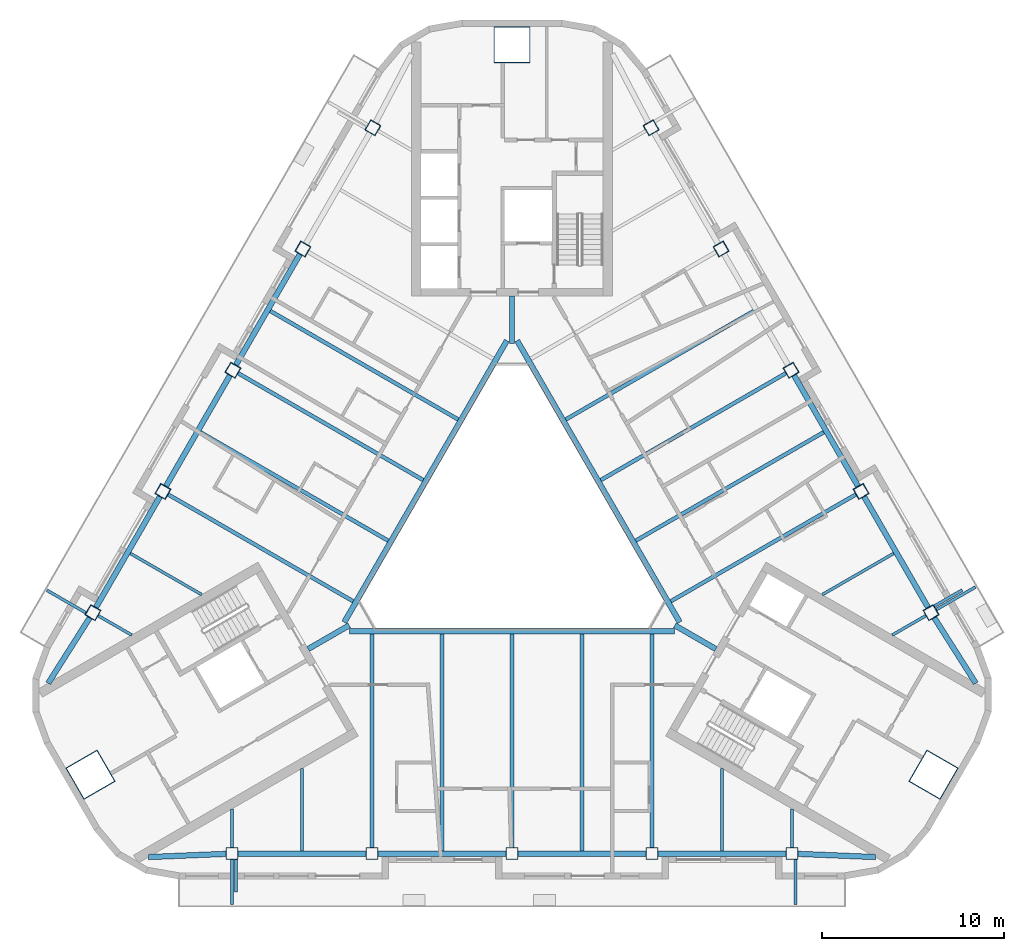
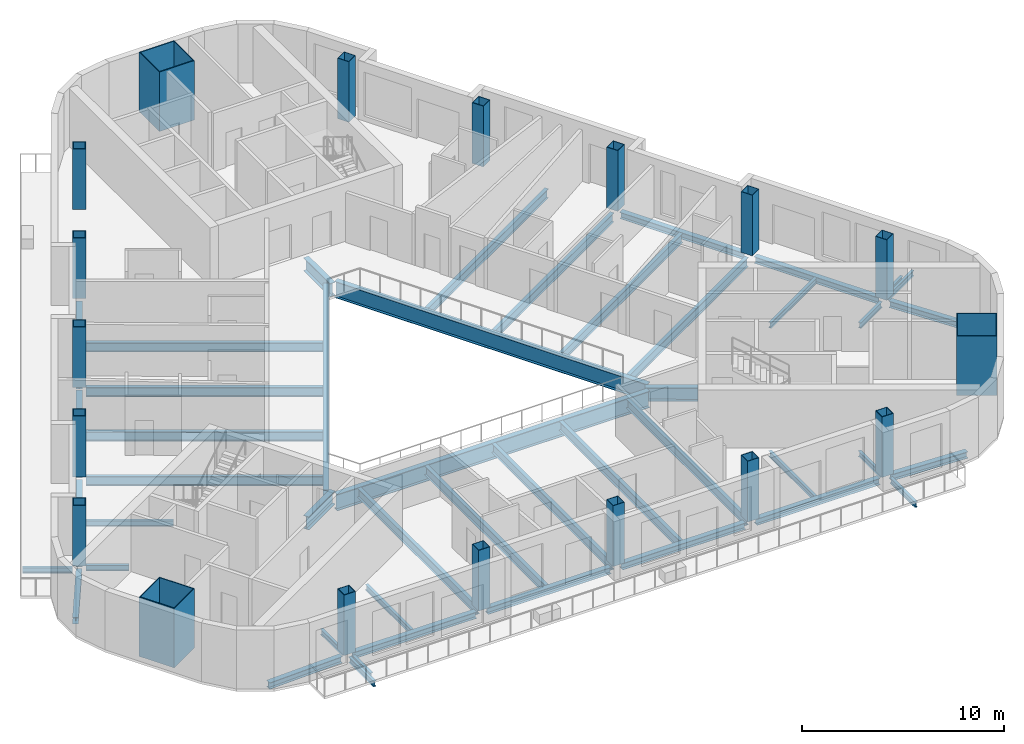
# One storey, part 1 of 14: 46 beams, 18 columns.
"""IFC4 building model written with IfcOpenShell, lengths in metres."""

from ifc_helpers import new_model, si_unit, direction, frame, origin, origin_2d, place, context, subcontext, project, spatial, rectangle, hollow_rectangle, i_section, extrude, boolean, halfspace, material, material_profile, profile_set, type_object, element, save


model = new_model("IFC4")

# Units and contexts
model_context = context("Model", 3, precision=1e-05, world=origin(), true_north=direction((0.0, 1.0)))
body_context = subcontext(model_context, "Body", "Model", "MODEL_VIEW")
ifc_project = project(units=[si_unit("LENGTHUNIT", "METRE"), si_unit("AREAUNIT", "SQUARE_METRE"), si_unit("VOLUMEUNIT", "CUBIC_METRE"), si_unit("PLANEANGLEUNIT", "RADIAN"), si_unit("MASSUNIT", "GRAM", prefix="KILO")], contexts=[model_context])

# Site, building, storey
site_placement = place(None, origin())
site = spatial("IfcSite", under=ifc_project, at=site_placement, CompositionType="ELEMENT")
building_placement = place(site_placement, origin())
building = spatial("IfcBuilding", under=site, at=building_placement, Name="Apuvela Tower Hotel", CompositionType="ELEMENT")
storey_placement = place(building_placement, frame((0.0, 0.0, 261.5)))
storey = spatial("IfcBuildingStorey", under=building, at=storey_placement, Name="L64", CompositionType="ELEMENT", Elevation=261.5)

# Columns
ifc_material_1 = material(Name="Steel S460", Category="steel")
ifc_material_profile_1 = material_profile(ifc_material_1, hollow_rectangle(XDim=2.0, YDim=2.0, WallThickness=0.050048828125, at=origin_2d()), Name="BOX 2000x2000x50")
ifc_material_2 = material(Name="Concrete C80/95", Category="concrete")
ifc_material_profile_2 = material_profile(ifc_material_2, rectangle(XDim=1.89990234375, YDim=1.89990234375, at=origin_2d()), Name="Concrete C80/95 infill")
ifc_profile_set_1 = profile_set([ifc_material_profile_1, ifc_material_profile_2], Name="Steel S460")
column_type_1 = type_object("IfcColumnType", Name="STR-MC mega column BOX 2000x2000x50", PredefinedType="COLUMN", material=ifc_profile_set_1)
for number, where, z_axis, x_axis, name in (
    (1, (0.0, 26.67626953125, 0.0), (0.0, 0.0, 1.0), (1.0, 0.0, 0.0), "Mega column MC4 N"),
    (2, (-23.102294921875, -13.338134765625, 0.0), (0.0, 0.0, 1.0), (-0.5, 0.866025403784, 0.0), "Mega column MC4 SW"),
    (3, (23.102294921875, -13.338134765625, 0.0), (0.0, 0.0, 1.0), (0.5, 0.866025403784, 0.0), "Mega column MC4 SE"),
):
    element("IfcColumn", number, at=place(storey_placement, frame(where, z_axis=z_axis, x_axis=x_axis)), inside=storey, type_object=column_type_1, Name=name, PredefinedType="COLUMN", context=body_context, shape_type="SweptSolid", body=[
        boolean("DIFFERENCE", extrude(hollow_rectangle(XDim=2.0, YDim=2.0, WallThickness=0.050048828125, at=origin_2d()), origin(), (0.0, 0.0, 1.0), 3.699951171875), halfspace(frame((0.0, 0.0, 3.586669921875), z_axis=(0.0, 0.0, 1.0), x_axis=(1.0, 0.0, 0.0)), False)),
    ])
ifc_material_profile_3 = material_profile(ifc_material_1, hollow_rectangle(XDim=0.64990234375, YDim=0.64990234375, WallThickness=0.030029296875, at=origin_2d()), Name="BOX 650x650x30")
ifc_material_profile_4 = material_profile(ifc_material_2, rectangle(XDim=0.590087890625, YDim=0.590087890625, at=origin_2d()), Name="Concrete C80/95 infill")
ifc_profile_set_2 = profile_set([ifc_material_profile_3, ifc_material_profile_4], Name="Steel S460")
column_type_2 = type_object("IfcColumnType", Name="STR-PC perimeter column BOX 650x650x30", PredefinedType="COLUMN", material=ifc_profile_set_2)
column_1_placement = place(storey_placement, frame((-15.343505859375, -17.662841796875, 0.0), z_axis=(0.0, 0.0, 1.0), x_axis=(-1.0, 0.0, 0.0)))
element("IfcColumn", 4, at=column_1_placement, inside=storey, type_object=column_type_2, Name="Perimeter column C6 S1", PredefinedType="COLUMN", context=body_context, shape_type="SweptSolid", body=[
    boolean("DIFFERENCE", extrude(hollow_rectangle(XDim=0.64990234375, YDim=0.64990234375, WallThickness=0.030029296875, at=origin_2d()), origin(), (0.0, 0.0, 1.0), 3.699951171875), halfspace(frame((0.0, 0.0, 3.653076171875), z_axis=(0.0, 0.0, 1.0), x_axis=(1.0, 0.0, 0.0)), False)),
])
column_2_placement = place(storey_placement, frame((-7.671875, -17.662841796875, 0.0), z_axis=(0.0, 0.0, 1.0), x_axis=(-1.0, 0.0, 0.0)))
element("IfcColumn", 5, at=column_2_placement, inside=storey, type_object=column_type_2, Name="Perimeter column C6 S2", PredefinedType="COLUMN", context=body_context, shape_type="SweptSolid", body=[
    boolean("DIFFERENCE", extrude(hollow_rectangle(XDim=0.64990234375, YDim=0.64990234375, WallThickness=0.030029296875, at=origin_2d()), origin(), (0.0, 0.0, 1.0), 3.699951171875), halfspace(frame((0.0, 0.0, 3.66015625), z_axis=(0.0, 0.0, 1.0), x_axis=(1.0, 0.0, 0.0)), False)),
])
column_3_placement = place(storey_placement, frame((0.0, -17.662841796875, 0.0), z_axis=(0.0, 0.0, 1.0), x_axis=(-1.0, 0.0, 0.0)))
element("IfcColumn", 6, at=column_3_placement, inside=storey, type_object=column_type_2, Name="Perimeter column C6 S3", PredefinedType="COLUMN", context=body_context, shape_type="SweptSolid", body=[
    boolean("DIFFERENCE", extrude(hollow_rectangle(XDim=0.64990234375, YDim=0.64990234375, WallThickness=0.030029296875, at=origin_2d()), origin(), (0.0, 0.0, 1.0), 3.699951171875), halfspace(frame((0.0, 0.0, 3.662841796875), z_axis=(0.0, 0.0, 1.0), x_axis=(1.0, 0.0, 0.0)), False)),
])
column_4_placement = place(storey_placement, frame((7.671875, -17.662841796875, 0.0), z_axis=(0.0, 0.0, 1.0), x_axis=(-1.0, 0.0, 0.0)))
element("IfcColumn", 7, at=column_4_placement, inside=storey, type_object=column_type_2, Name="Perimeter column C6 S4", PredefinedType="COLUMN", context=body_context, shape_type="SweptSolid", body=[
    boolean("DIFFERENCE", extrude(hollow_rectangle(XDim=0.64990234375, YDim=0.64990234375, WallThickness=0.030029296875, at=origin_2d()), origin(), (0.0, 0.0, 1.0), 3.699951171875), halfspace(frame((0.0, 0.0, 3.66015625), z_axis=(0.0, 0.0, 1.0), x_axis=(1.0, 0.0, 0.0)), False)),
])
for number, where, z_axis, x_axis, name in (
    (8, (15.343505859375, -17.662841796875, 0.0), (0.0, 0.0, 1.0), (-1.0, 0.0, 0.0), "Perimeter column C6 S5"),
    (9, (22.96826171875, -4.45654296875, 0.0), (0.0, 0.0, 1.0), (-0.5, 0.866025403784, 0.0), "Perimeter column C6 NE1"),
):
    element("IfcColumn", number, at=place(storey_placement, frame(where, z_axis=z_axis, x_axis=x_axis)), inside=storey, type_object=column_type_2, Name=name, PredefinedType="COLUMN", context=body_context, shape_type="SweptSolid", body=[
        boolean("DIFFERENCE", extrude(hollow_rectangle(XDim=0.64990234375, YDim=0.64990234375, WallThickness=0.030029296875, at=origin_2d()), origin(), (0.0, 0.0, 1.0), 3.699951171875), halfspace(frame((0.0, 0.0, 3.653076171875), z_axis=(0.0, 0.0, 1.0), x_axis=(1.0, 0.0, 0.0)), False)),
    ])
column_5_placement = place(storey_placement, frame((19.13232421875, 2.1875, 0.0), z_axis=(0.0, 0.0, 1.0), x_axis=(-0.5, 0.866025403784, 0.0)))
element("IfcColumn", 10, at=column_5_placement, inside=storey, type_object=column_type_2, Name="Perimeter column C6 NE2", PredefinedType="COLUMN", context=body_context, shape_type="SweptSolid", body=[
    boolean("DIFFERENCE", extrude(hollow_rectangle(XDim=0.64990234375, YDim=0.64990234375, WallThickness=0.030029296875, at=origin_2d()), origin(), (0.0, 0.0, 1.0), 3.699951171875), halfspace(frame((0.0, 0.0, 3.66015625), z_axis=(0.0, 0.0, 1.0), x_axis=(1.0, 0.0, 0.0)), False)),
])
column_6_placement = place(storey_placement, frame((15.29638671875, 8.83154296875, 0.0), z_axis=(0.0, 0.0, 1.0), x_axis=(-0.5, 0.866025403784, 0.0)))
element("IfcColumn", 11, at=column_6_placement, inside=storey, type_object=column_type_2, Name="Perimeter column C6 NE3", PredefinedType="COLUMN", context=body_context, shape_type="SweptSolid", body=[
    boolean("DIFFERENCE", extrude(hollow_rectangle(XDim=0.64990234375, YDim=0.64990234375, WallThickness=0.030029296875, at=origin_2d()), origin(), (0.0, 0.0, 1.0), 3.699951171875), halfspace(frame((0.0, 0.0, 3.662841796875), z_axis=(0.0, 0.0, 1.0), x_axis=(1.0, 0.0, 0.0)), False)),
])
column_7_placement = place(storey_placement, frame((11.460693359375, 15.475341796875, 0.0), z_axis=(0.0, 0.0, 1.0), x_axis=(-0.5, 0.866025403784, 0.0)))
element("IfcColumn", 12, at=column_7_placement, inside=storey, type_object=column_type_2, Name="Perimeter column C6 NE4", PredefinedType="COLUMN", context=body_context, shape_type="SweptSolid", body=[
    boolean("DIFFERENCE", extrude(hollow_rectangle(XDim=0.64990234375, YDim=0.64990234375, WallThickness=0.030029296875, at=origin_2d()), origin(), (0.0, 0.0, 1.0), 3.699951171875), halfspace(frame((0.0, 0.0, 3.66015625), z_axis=(0.0, 0.0, 1.0), x_axis=(1.0, 0.0, 0.0)), False)),
])
for number, where, z_axis, x_axis, name in (
    (13, (7.624755859375, 22.119384765625, 0.0), (0.0, 0.0, 1.0), (-0.5, 0.866025403784, 0.0), "Perimeter column C6 NE5"),
    (14, (-7.624755859375, 22.119384765625, 0.0), (0.0, 0.0, 1.0), (0.5, 0.866025403784, 0.0), "Perimeter column C6 NW1"),
):
    element("IfcColumn", number, at=place(storey_placement, frame(where, z_axis=z_axis, x_axis=x_axis)), inside=storey, type_object=column_type_2, Name=name, PredefinedType="COLUMN", context=body_context, shape_type="SweptSolid", body=[
        boolean("DIFFERENCE", extrude(hollow_rectangle(XDim=0.64990234375, YDim=0.64990234375, WallThickness=0.030029296875, at=origin_2d()), origin(), (0.0, 0.0, 1.0), 3.699951171875), halfspace(frame((0.0, 0.0, 3.653076171875), z_axis=(0.0, 0.0, 1.0), x_axis=(1.0, 0.0, 0.0)), False)),
    ])
column_8_placement = place(storey_placement, frame((-11.460693359375, 15.475341796875, 0.0), z_axis=(0.0, 0.0, 1.0), x_axis=(0.5, 0.866025403784, 0.0)))
element("IfcColumn", 15, at=column_8_placement, inside=storey, type_object=column_type_2, Name="Perimeter column C6 NW2", PredefinedType="COLUMN", context=body_context, shape_type="SweptSolid", body=[
    boolean("DIFFERENCE", extrude(hollow_rectangle(XDim=0.64990234375, YDim=0.64990234375, WallThickness=0.030029296875, at=origin_2d()), origin(), (0.0, 0.0, 1.0), 3.699951171875), halfspace(frame((0.0, 0.0, 3.66015625), z_axis=(0.0, 0.0, 1.0), x_axis=(1.0, 0.0, 0.0)), False)),
])
column_9_placement = place(storey_placement, frame((-15.29638671875, 8.83154296875, 0.0), z_axis=(0.0, 0.0, 1.0), x_axis=(0.5, 0.866025403784, 0.0)))
element("IfcColumn", 16, at=column_9_placement, inside=storey, type_object=column_type_2, Name="Perimeter column C6 NW3", PredefinedType="COLUMN", context=body_context, shape_type="SweptSolid", body=[
    boolean("DIFFERENCE", extrude(hollow_rectangle(XDim=0.64990234375, YDim=0.64990234375, WallThickness=0.030029296875, at=origin_2d()), origin(), (0.0, 0.0, 1.0), 3.699951171875), halfspace(frame((0.0, 0.0, 3.662841796875), z_axis=(0.0, 0.0, 1.0), x_axis=(1.0, 0.0, 0.0)), False)),
])
column_10_placement = place(storey_placement, frame((-19.13232421875, 2.1875, 0.0), z_axis=(0.0, 0.0, 1.0), x_axis=(0.5, 0.866025403784, 0.0)))
element("IfcColumn", 17, at=column_10_placement, inside=storey, type_object=column_type_2, Name="Perimeter column C6 NW4", PredefinedType="COLUMN", context=body_context, shape_type="SweptSolid", body=[
    boolean("DIFFERENCE", extrude(hollow_rectangle(XDim=0.64990234375, YDim=0.64990234375, WallThickness=0.030029296875, at=origin_2d()), origin(), (0.0, 0.0, 1.0), 3.699951171875), halfspace(frame((0.0, 0.0, 3.66015625), z_axis=(0.0, 0.0, 1.0), x_axis=(1.0, 0.0, 0.0)), False)),
])
column_11_placement = place(storey_placement, frame((-22.96826171875, -4.45654296875, 0.0), z_axis=(0.0, 0.0, 1.0), x_axis=(0.5, 0.866025403784, 0.0)))
element("IfcColumn", 18, at=column_11_placement, inside=storey, type_object=column_type_2, Name="Perimeter column C6 NW5", PredefinedType="COLUMN", context=body_context, shape_type="SweptSolid", body=[
    boolean("DIFFERENCE", extrude(hollow_rectangle(XDim=0.64990234375, YDim=0.64990234375, WallThickness=0.030029296875, at=origin_2d()), origin(), (0.0, 0.0, 1.0), 3.699951171875), halfspace(frame((0.0, 0.0, 3.653076171875), z_axis=(0.0, 0.0, 1.0), x_axis=(1.0, 0.0, 0.0)), False)),
])

# Beams
ifc_material_3 = material(Name="Steel S355", Category="steel")
ifc_material_profile_5 = material_profile(ifc_material_3, i_section(OverallWidth=0.159912109375, OverallDepth=0.330078125, WebThickness=0.007568359375, FlangeThickness=0.011474609375, at=origin_2d()), Name="IPE 330")
ifc_profile_set_3 = profile_set([ifc_material_profile_5], Name="Steel S355")
beam_type_1 = type_object("IfcBeamType", Name="ENV-BALCONY-BEAM-IPE330", PredefinedType="BEAM", material=ifc_profile_set_3)
beam_1_placement = place(storey_placement, frame((-15.343505859375, -17.98779296875, -0.31494140625), z_axis=(0.0, -1.0, 0.0), x_axis=(1.0, 0.0, 0.0)))
element("IfcBeam", 19, at=beam_1_placement, inside=storey, type_object=beam_type_1, Name="Balcony cantilever beam S1 L64", PredefinedType="BEAM", context=body_context, shape_type="SweptSolid", body=[
    extrude(i_section(OverallWidth=0.159912109375, OverallDepth=0.330078125, WebThickness=0.007568359375, FlangeThickness=0.011474609375, at=origin_2d()), origin(), (0.0, 0.0, 1.0), 2.47509765625),
])
beam_2_placement = place(storey_placement, frame((-15.12353515625, -17.98779296875, -0.31494140625), z_axis=(0.0, -1.0, 0.0), x_axis=(1.0, 0.0, 0.0)))
element("IfcBeam", 20, at=beam_2_placement, inside=storey, type_object=beam_type_1, Name="Balcony cantilever beam S2 L64", PredefinedType="BEAM", context=body_context, shape_type="SweptSolid", body=[
    extrude(i_section(OverallWidth=0.159912109375, OverallDepth=0.330078125, WebThickness=0.007568359375, FlangeThickness=0.011474609375, at=origin_2d()), origin(), (0.0, 0.0, 1.0), 1.775146484375),
])
for number, where, z_axis, x_axis, name in (
    (21, (15.543701171875, -17.98779296875, -0.31494140625), (0.0, -1.0, 0.0), (1.0, 0.0, 0.0), "Balcony cantilever beam S3 L64"),
    (22, (23.249755859375, -4.2939453125, -0.31494140625), (0.866031185235, 0.4999899861, 0.0), (-0.4999899861, 0.866031185235, 0.0), "Balcony cantilever beam NE1 L64"),
):
    element("IfcBeam", number, at=place(storey_placement, frame(where, z_axis=z_axis, x_axis=x_axis)), inside=storey, type_object=beam_type_1, Name=name, PredefinedType="BEAM", context=body_context, shape_type="SweptSolid", body=[
        extrude(i_section(OverallWidth=0.159912109375, OverallDepth=0.330078125, WebThickness=0.007568359375, FlangeThickness=0.011474609375, at=origin_2d()), origin(), (0.0, 0.0, 1.0), 2.47509765625),
    ])
beam_3_placement = place(storey_placement, frame((23.139892578125, -4.103515625, -0.31494140625), z_axis=(0.865965678975, 0.50010343214, 0.0), x_axis=(-0.50010343214, 0.865965678975, 0.0)))
element("IfcBeam", 23, at=beam_3_placement, inside=storey, type_object=beam_type_1, Name="Balcony cantilever beam NE2 L64", PredefinedType="BEAM", context=body_context, shape_type="SweptSolid", body=[
    extrude(i_section(OverallWidth=0.159912109375, OverallDepth=0.330078125, WebThickness=0.007568359375, FlangeThickness=0.011474609375, at=origin_2d()), origin(), (0.0, 0.0, 1.0), 1.77490234375),
])
beam_4_placement = place(storey_placement, frame((-23.349853515625, -4.46728515625, -0.31494140625), z_axis=(-0.866006523861, 0.500032699561, 0.0), x_axis=(-0.500032699561, -0.866006523861, 0.0)))
element("IfcBeam", 24, at=beam_4_placement, inside=storey, type_object=beam_type_1, Name="Balcony cantilever beam NW3 L64", PredefinedType="BEAM", context=body_context, shape_type="SweptSolid", body=[
    extrude(i_section(OverallWidth=0.159912109375, OverallDepth=0.330078125, WebThickness=0.007568359375, FlangeThickness=0.011474609375, at=origin_2d()), origin(), (0.0, 0.0, 1.0), 2.474853515625),
])
ifc_material_profile_6 = material_profile(ifc_material_3, i_section(OverallWidth=0.159912109375, OverallDepth=0.330078125, WebThickness=0.007568359375, FlangeThickness=0.011474609375, at=origin_2d()), Name="IPE 330")
ifc_profile_set_4 = profile_set([ifc_material_profile_6], Name="Steel S355")
beam_type_2 = type_object("IfcBeamType", Name="STR-B floor beam IPE 330", PredefinedType="BEAM", material=ifc_profile_set_4)
beam_5_placement = place(storey_placement, frame((22.686767578125, -4.618896484375, -0.31494140625), z_axis=(-0.866025132214, -0.500000470374, 0.0), x_axis=(0.500000470374, -0.866025132214, 0.0)))
element("IfcBeam", 25, at=beam_5_placement, inside=storey, type_object=beam_type_2, Name="Floor beam B1 NE1", PredefinedType="BEAM", context=body_context, shape_type="SweptSolid", body=[
    extrude(i_section(OverallWidth=0.159912109375, OverallDepth=0.330078125, WebThickness=0.007568359375, FlangeThickness=0.011474609375, at=origin_2d()), origin(), (0.0, 0.0, 1.0), 2.12841796875),
])
for number, where, z_axis, x_axis, name in (
    (26, (20.92041015625, -1.20947265625, -0.31494140625), (-0.866016404628, -0.500015586673, 0.0), (0.500015586673, -0.866016404628, 0.0), "Floor beam B1 NE2"),
    (27, (-20.92041015625, -1.20947265625, -0.31494140625), (0.866016404628, -0.500015586673, 0.0), (0.500015586673, 0.866016404628, 0.0), "Floor beam B1 NW8"),
):
    element("IfcBeam", number, at=place(storey_placement, frame(where, z_axis=z_axis, x_axis=x_axis)), inside=storey, type_object=beam_type_2, Name=name, PredefinedType="BEAM", context=body_context, shape_type="SweptSolid", body=[
        extrude(i_section(OverallWidth=0.159912109375, OverallDepth=0.330078125, WebThickness=0.007568359375, FlangeThickness=0.011474609375, at=origin_2d()), origin(), (0.0, 0.0, 1.0), 4.517822265625),
    ])
for number, where, z_axis, x_axis, name in (
    (28, (-22.686767578125, -4.618896484375, -0.31494140625), (0.866025132214, -0.500000470374, 0.0), (0.500000470374, 0.866025132214, 0.0), "Floor beam B1 NW9"),
    (29, (-15.343505859375, -17.337890625, -0.31494140625), (0.0, 1.0, 0.0), (-1.0, 0.0, 0.0), "Floor beam B1 S1"),
):
    element("IfcBeam", number, at=place(storey_placement, frame(where, z_axis=z_axis, x_axis=x_axis)), inside=storey, type_object=beam_type_2, Name=name, PredefinedType="BEAM", context=body_context, shape_type="SweptSolid", body=[
        extrude(i_section(OverallWidth=0.159912109375, OverallDepth=0.330078125, WebThickness=0.007568359375, FlangeThickness=0.011474609375, at=origin_2d()), origin(), (0.0, 0.0, 1.0), 2.12841796875),
    ])
for number, where, z_axis, x_axis, name in (
    (30, (-11.5078125, -17.512939453125, -0.31494140625), (0.0, 1.0, 0.0), (-1.0, 0.0, 0.0), "Floor beam B1 S2"),
    (31, (11.5078125, -17.512939453125, -0.31494140625), (0.0, 1.0, 0.0), (-1.0, 0.0, 0.0), "Floor beam B1 S8"),
):
    element("IfcBeam", number, at=place(storey_placement, frame(where, z_axis=z_axis, x_axis=x_axis)), inside=storey, type_object=beam_type_2, Name=name, PredefinedType="BEAM", context=body_context, shape_type="SweptSolid", body=[
        extrude(i_section(OverallWidth=0.159912109375, OverallDepth=0.330078125, WebThickness=0.007568359375, FlangeThickness=0.011474609375, at=origin_2d()), origin(), (0.0, 0.0, 1.0), 4.51806640625),
    ])
beam_6_placement = place(storey_placement, frame((15.343505859375, -17.337890625, -0.31494140625), z_axis=(0.0, 1.0, 0.0), x_axis=(-1.0, 0.0, 0.0)))
element("IfcBeam", 32, at=beam_6_placement, inside=storey, type_object=beam_type_2, Name="Floor beam B1 S9", PredefinedType="BEAM", context=body_context, shape_type="SweptSolid", body=[
    extrude(i_section(OverallWidth=0.159912109375, OverallDepth=0.330078125, WebThickness=0.007568359375, FlangeThickness=0.011474609375, at=origin_2d()), origin(), (0.0, 0.0, 1.0), 2.12841796875),
])
ifc_material_profile_7 = material_profile(ifc_material_3, i_section(OverallWidth=0.2099609375, OverallDepth=0.550048828125, WebThickness=0.010986328125, FlangeThickness=0.01708984375, at=origin_2d()), Name="IPE 550")
ifc_profile_set_5 = profile_set([ifc_material_profile_7], Name="Steel S355")
beam_type_3 = type_object("IfcBeamType", Name="STR-B floor beam IPE 550", PredefinedType="BEAM", material=ifc_profile_set_5)
beam_7_placement = place(storey_placement, frame((18.85107421875, 2.02490234375, -0.425048828125), z_axis=(-0.866031887023, -0.499988770534, 0.0), x_axis=(0.499988770534, -0.866031887023, 0.0)))
element("IfcBeam", 33, at=beam_7_placement, inside=storey, type_object=beam_type_3, Name="Floor beam B7 NE3", PredefinedType="BEAM", context=body_context, shape_type="SweptSolid", body=[
    extrude(i_section(OverallWidth=0.2099609375, OverallDepth=0.550048828125, WebThickness=0.010986328125, FlangeThickness=0.01708984375, at=origin_2d()), origin(), (0.0, 0.0, 1.0), 11.718017578125),
])
beam_8_placement = place(storey_placement, frame((17.084716796875, 5.4345703125, -0.425048828125), z_axis=(-0.866027654035, -0.499996102431, 0.0), x_axis=(0.499996102431, -0.866027654035, 0.0)))
element("IfcBeam", 34, at=beam_8_placement, inside=storey, type_object=beam_type_3, Name="Floor beam B7 NE4", PredefinedType="BEAM", context=body_context, shape_type="SweptSolid", body=[
    extrude(i_section(OverallWidth=0.2099609375, OverallDepth=0.550048828125, WebThickness=0.010986328125, FlangeThickness=0.01708984375, at=origin_2d()), origin(), (0.0, 0.0, 1.0), 11.89306640625),
])
beam_9_placement = place(storey_placement, frame((15.01513671875, 8.6689453125, -0.425048828125), z_axis=(-0.866026678465, -0.499997792181, 0.0), x_axis=(0.499997792181, -0.866026678465, 0.0)))
element("IfcBeam", 35, at=beam_9_placement, inside=storey, type_object=beam_type_3, Name="Floor beam B7 NE5", PredefinedType="BEAM", context=body_context, shape_type="SweptSolid", body=[
    extrude(i_section(OverallWidth=0.2099609375, OverallDepth=0.550048828125, WebThickness=0.010986328125, FlangeThickness=0.01708984375, at=origin_2d()), origin(), (0.0, 0.0, 1.0), 11.7177734375),
])
for number, where, z_axis, x_axis, name in (
    (36, (13.248779296875, 12.078369140625, -0.425048828125), (-0.866031411002, -0.49998959505, 0.0), (0.49998959505, -0.866031411002, 0.0), "Floor beam B7 NE6"),
    (37, (-13.248779296875, 12.078369140625, -0.425048828125), (0.866031411002, -0.49998959505, 0.0), (0.49998959505, 0.866031411002, 0.0), "Floor beam B7 NW4"),
):
    element("IfcBeam", number, at=place(storey_placement, frame(where, z_axis=z_axis, x_axis=x_axis)), inside=storey, type_object=beam_type_3, Name=name, PredefinedType="BEAM", context=body_context, shape_type="SweptSolid", body=[
        extrude(i_section(OverallWidth=0.2099609375, OverallDepth=0.550048828125, WebThickness=0.010986328125, FlangeThickness=0.01708984375, at=origin_2d()), origin(), (0.0, 0.0, 1.0), 11.892822265625),
    ])
beam_10_placement = place(storey_placement, frame((-15.01513671875, 8.6689453125, -0.425048828125), z_axis=(0.866026678465, -0.499997792181, 0.0), x_axis=(0.499997792181, 0.866026678465, 0.0)))
element("IfcBeam", 38, at=beam_10_placement, inside=storey, type_object=beam_type_3, Name="Floor beam B7 NW5", PredefinedType="BEAM", context=body_context, shape_type="SweptSolid", body=[
    extrude(i_section(OverallWidth=0.2099609375, OverallDepth=0.550048828125, WebThickness=0.010986328125, FlangeThickness=0.01708984375, at=origin_2d()), origin(), (0.0, 0.0, 1.0), 11.7177734375),
])
beam_11_placement = place(storey_placement, frame((-17.084716796875, 5.4345703125, -0.425048828125), z_axis=(0.866027654035, -0.499996102431, 0.0), x_axis=(0.499996102431, 0.866027654035, 0.0)))
element("IfcBeam", 39, at=beam_11_placement, inside=storey, type_object=beam_type_3, Name="Floor beam B7 NW6", PredefinedType="BEAM", context=body_context, shape_type="SweptSolid", body=[
    extrude(i_section(OverallWidth=0.2099609375, OverallDepth=0.550048828125, WebThickness=0.010986328125, FlangeThickness=0.01708984375, at=origin_2d()), origin(), (0.0, 0.0, 1.0), 11.89306640625),
])
beam_12_placement = place(storey_placement, frame((-18.85107421875, 2.02490234375, -0.425048828125), z_axis=(0.866031887023, -0.499988770534, 0.0), x_axis=(0.499988770534, 0.866031887023, 0.0)))
element("IfcBeam", 40, at=beam_12_placement, inside=storey, type_object=beam_type_3, Name="Floor beam B7 NW7", PredefinedType="BEAM", context=body_context, shape_type="SweptSolid", body=[
    extrude(i_section(OverallWidth=0.2099609375, OverallDepth=0.550048828125, WebThickness=0.010986328125, FlangeThickness=0.01708984375, at=origin_2d()), origin(), (0.0, 0.0, 1.0), 11.718017578125),
])
beam_13_placement = place(storey_placement, frame((-7.671875, -17.337890625, -0.425048828125), z_axis=(0.0, 1.0, 0.0), x_axis=(-1.0, 0.0, 0.0)))
element("IfcBeam", 41, at=beam_13_placement, inside=storey, type_object=beam_type_3, Name="Floor beam B7 S3", PredefinedType="BEAM", context=body_context, shape_type="SweptSolid", body=[
    extrude(i_section(OverallWidth=0.2099609375, OverallDepth=0.550048828125, WebThickness=0.010986328125, FlangeThickness=0.01708984375, at=origin_2d()), origin(), (0.0, 0.0, 1.0), 11.7177734375),
])
beam_14_placement = place(storey_placement, frame((-3.8359375, -17.512939453125, -0.425048828125), z_axis=(0.0, 1.0, 0.0), x_axis=(-1.0, 0.0, 0.0)))
element("IfcBeam", 42, at=beam_14_placement, inside=storey, type_object=beam_type_3, Name="Floor beam B7 S4", PredefinedType="BEAM", context=body_context, shape_type="SweptSolid", body=[
    extrude(i_section(OverallWidth=0.2099609375, OverallDepth=0.550048828125, WebThickness=0.010986328125, FlangeThickness=0.01708984375, at=origin_2d()), origin(), (0.0, 0.0, 1.0), 11.892822265625),
])
beam_15_placement = place(storey_placement, frame((0.0, -17.337890625, -0.425048828125), z_axis=(0.0, 1.0, 0.0), x_axis=(-1.0, 0.0, 0.0)))
element("IfcBeam", 43, at=beam_15_placement, inside=storey, type_object=beam_type_3, Name="Floor beam B7 S5", PredefinedType="BEAM", context=body_context, shape_type="SweptSolid", body=[
    extrude(i_section(OverallWidth=0.2099609375, OverallDepth=0.550048828125, WebThickness=0.010986328125, FlangeThickness=0.01708984375, at=origin_2d()), origin(), (0.0, 0.0, 1.0), 11.7177734375),
])
beam_16_placement = place(storey_placement, frame((3.8359375, -17.512939453125, -0.425048828125), z_axis=(0.0, 1.0, 0.0), x_axis=(-1.0, 0.0, 0.0)))
element("IfcBeam", 44, at=beam_16_placement, inside=storey, type_object=beam_type_3, Name="Floor beam B7 S6", PredefinedType="BEAM", context=body_context, shape_type="SweptSolid", body=[
    extrude(i_section(OverallWidth=0.2099609375, OverallDepth=0.550048828125, WebThickness=0.010986328125, FlangeThickness=0.01708984375, at=origin_2d()), origin(), (0.0, 0.0, 1.0), 11.892822265625),
])
beam_17_placement = place(storey_placement, frame((7.671875, -17.337890625, -0.425048828125), z_axis=(0.0, 1.0, 0.0), x_axis=(-1.0, 0.0, 0.0)))
element("IfcBeam", 45, at=beam_17_placement, inside=storey, type_object=beam_type_3, Name="Floor beam B7 S7", PredefinedType="BEAM", context=body_context, shape_type="SweptSolid", body=[
    extrude(i_section(OverallWidth=0.2099609375, OverallDepth=0.550048828125, WebThickness=0.010986328125, FlangeThickness=0.01708984375, at=origin_2d()), origin(), (0.0, 0.0, 1.0), 11.7177734375),
])
ifc_material_profile_8 = material_profile(ifc_material_3, i_section(OverallWidth=0.300048828125, OverallDepth=0.989990234375, WebThickness=0.0166015625, FlangeThickness=0.031005859375, at=origin_2d()), Name="HE 1000 A")
ifc_profile_set_6 = profile_set([ifc_material_profile_8], Name="Steel S355")
beam_type_4 = type_object("IfcBeamType", Name="STR-G atrium ring girder HE 1000 A", PredefinedType="BEAM", material=ifc_profile_set_6)
beam_18_placement = place(storey_placement, frame((-0.27978515625, 10.455078125, -0.64501953125), z_axis=(-0.500006541319, -0.866021627119, 0.0), x_axis=(0.866021627119, -0.500006541319, 0.0)))
element("IfcBeam", 46, at=beam_18_placement, inside=storey, type_object=beam_type_4, Name="Atrium ring girder G3 N-SW", PredefinedType="BEAM", context=body_context, shape_type="SweptSolid", body=[
    extrude(i_section(OverallWidth=0.300048828125, OverallDepth=0.989990234375, WebThickness=0.0166015625, FlangeThickness=0.031005859375, at=origin_2d()), origin(), (0.0, 0.0, 1.0), 17.828857421875),
])
beam_19_placement = place(storey_placement, frame((-8.91455078125, -5.469970703125, -0.64501953125), z_axis=(1.0, 0.0, 0.0), x_axis=(0.0, 1.0, 0.0)))
element("IfcBeam", 47, at=beam_19_placement, inside=storey, type_object=beam_type_4, Name="Atrium ring girder G3 SW-SE", PredefinedType="BEAM", context=body_context, shape_type="SweptSolid", body=[
    extrude(i_section(OverallWidth=0.300048828125, OverallDepth=0.989990234375, WebThickness=0.0166015625, FlangeThickness=0.031005859375, at=origin_2d()), origin(), (0.0, 0.0, 1.0), 17.8291015625),
])
beam_20_placement = place(storey_placement, frame((9.1943359375, -4.985107421875, -0.64501953125), z_axis=(-0.500006541319, 0.866021627119, 0.0), x_axis=(-0.866021627119, -0.500006541319, 0.0)))
element("IfcBeam", 48, at=beam_20_placement, inside=storey, type_object=beam_type_4, Name="Atrium ring girder G3 SE-N", PredefinedType="BEAM", context=body_context, shape_type="SweptSolid", body=[
    extrude(i_section(OverallWidth=0.300048828125, OverallDepth=0.989990234375, WebThickness=0.0166015625, FlangeThickness=0.031005859375, at=origin_2d()), origin(), (0.0, 0.0, 1.0), 17.828857421875),
])
ifc_material_profile_9 = material_profile(ifc_material_3, i_section(OverallWidth=0.300048828125, OverallDepth=0.800048828125, WebThickness=0.017578125, FlangeThickness=0.032958984375, at=origin_2d()), Name="HE 800 B")
ifc_profile_set_7 = profile_set([ifc_material_profile_9], Name="Steel S355")
beam_type_5 = type_object("IfcBeamType", Name="STR-GT core tie beam HE 800 B", PredefinedType="BEAM", material=ifc_profile_set_7)
for number, where, z_axis, x_axis, name in (
    (49, (0.0, 12.89990234375, -0.550048828125), (0.0, -1.0, 0.0), (1.0, 0.0, 0.0), "Core tie beam GT1 N"),
    (50, (-11.171630859375, -6.449951171875, -0.550048828125), (0.865997922154, 0.500047596559, 0.0), (-0.500047596559, 0.865997922154, 0.0), "Core tie beam GT1 SW"),
    (51, (11.171630859375, -6.449951171875, -0.550048828125), (-0.865997922154, 0.500047596559, 0.0), (-0.500047596559, -0.865997922154, 0.0), "Core tie beam GT1 SE"),
):
    element("IfcBeam", number, at=place(storey_placement, frame(where, z_axis=z_axis, x_axis=x_axis)), inside=storey, type_object=beam_type_5, Name=name, PredefinedType="BEAM", context=body_context, shape_type="SweptSolid", body=[
        extrude(i_section(OverallWidth=0.300048828125, OverallDepth=0.800048828125, WebThickness=0.017578125, FlangeThickness=0.032958984375, at=origin_2d()), origin(), (0.0, 0.0, 1.0), 2.599853515625),
    ])
ifc_material_profile_10 = material_profile(ifc_material_3, i_section(OverallWidth=0.300048828125, OverallDepth=0.389892578125, WebThickness=0.010986328125, FlangeThickness=0.01904296875, at=origin_2d()), Name="HE 400 A")
ifc_profile_set_8 = profile_set([ifc_material_profile_10], Name="Steel S355")
beam_type_6 = type_object("IfcBeamType", Name="STR-SB spandrel beam HE 400 A", PredefinedType="SPANDREL", material=ifc_profile_set_8)
for number, where, z_axis, x_axis, name in (
    (52, (-15.0185546875, -17.662841796875, -0.344970703125), (1.0, 0.0, 0.0), (0.0, 1.0, 0.0), "Spandrel beam SB4 S1"),
    (53, (-7.3466796875, -17.662841796875, -0.344970703125), (1.0, 0.0, 0.0), (0.0, 1.0, 0.0), "Spandrel beam SB4 S2"),
    (54, (0.324951171875, -17.662841796875, -0.344970703125), (1.0, 0.0, 0.0), (0.0, 1.0, 0.0), "Spandrel beam SB4 S3"),
    (55, (7.996826171875, -17.662841796875, -0.344970703125), (1.0, 0.0, 0.0), (0.0, 1.0, 0.0), "Spandrel beam SB4 S4"),
    (56, (22.805908203125, -4.175048828125, -0.344970703125), (-0.500009374365, 0.866019991425, 0.0), (-0.866019991425, -0.500009374365, 0.0), "Spandrel beam SB4 NE1"),
    (57, (18.969970703125, 2.468994140625, -0.344970703125), (-0.500009374365, 0.866019991425, 0.0), (-0.866019991425, -0.500009374365, 0.0), "Spandrel beam SB4 NE2"),
):
    element("IfcBeam", number, at=place(storey_placement, frame(where, z_axis=z_axis, x_axis=x_axis)), inside=storey, type_object=beam_type_6, Name=name, PredefinedType="SPANDREL", context=body_context, shape_type="SweptSolid", body=[
        extrude(i_section(OverallWidth=0.300048828125, OverallDepth=0.389892578125, WebThickness=0.010986328125, FlangeThickness=0.01904296875, at=origin_2d()), origin(), (0.0, 0.0, 1.0), 7.021728515625),
    ])
beam_21_placement = place(storey_placement, frame((-11.623046875, 15.194091796875, -0.344970703125), z_axis=(-0.499994319245, -0.866028683545, 0.0), x_axis=(0.866028683545, -0.499994319245, 0.0)))
element("IfcBeam", 58, at=beam_21_placement, inside=storey, type_object=beam_type_6, Name="Spandrel beam SB4 NW2", PredefinedType="SPANDREL", context=body_context, shape_type="SweptSolid", body=[
    extrude(i_section(OverallWidth=0.300048828125, OverallDepth=0.389892578125, WebThickness=0.010986328125, FlangeThickness=0.01904296875, at=origin_2d()), origin(), (0.0, 0.0, 1.0), 7.02197265625),
])
for number, where, z_axis, x_axis, name in (
    (59, (-15.458984375, 8.550048828125, -0.344970703125), (-0.500009374365, -0.866019991425, 0.0), (0.866019991425, -0.500009374365, 0.0), "Spandrel beam SB4 NW3"),
    (60, (-19.294921875, 1.906005859375, -0.344970703125), (-0.500009374365, -0.866019991425, 0.0), (0.866019991425, -0.500009374365, 0.0), "Spandrel beam SB4 NW4"),
):
    element("IfcBeam", number, at=place(storey_placement, frame(where, z_axis=z_axis, x_axis=x_axis)), inside=storey, type_object=beam_type_6, Name=name, PredefinedType="SPANDREL", context=body_context, shape_type="SweptSolid", body=[
        extrude(i_section(OverallWidth=0.300048828125, OverallDepth=0.389892578125, WebThickness=0.010986328125, FlangeThickness=0.01904296875, at=origin_2d()), origin(), (0.0, 0.0, 1.0), 7.021728515625),
    ])
for number, where, z_axis, x_axis, name in (
    (61, (-15.668701171875, -17.67626953125, -0.344970703125), (-0.999153048072, -0.041148347815, 0.0), (0.041148347815, -0.999153048072, 0.0), "Spandrel beam SB4 S1-SW"),
    (62, (15.668701171875, -17.67626953125, -0.344970703125), (0.999153048072, -0.041148347815, 0.0), (0.041148347815, 0.999153048072, 0.0), "Spandrel beam SB4 S5-SE"),
):
    element("IfcBeam", number, at=place(storey_placement, frame(where, z_axis=z_axis, x_axis=x_axis)), inside=storey, type_object=beam_type_6, Name=name, PredefinedType="SPANDREL", context=body_context, shape_type="SweptSolid", body=[
        extrude(i_section(OverallWidth=0.300048828125, OverallDepth=0.389892578125, WebThickness=0.010986328125, FlangeThickness=0.01904296875, at=origin_2d()), origin(), (0.0, 0.0, 1.0), 4.254150390625),
    ])
for number, where, z_axis, x_axis, name in (
    (63, (23.142333984375, -4.731201171875, -0.344970703125), (0.535188600904, -0.844732597609, 0.0), (0.844732597609, 0.535188600904, 0.0), "Spandrel beam SB4 NE1-SE"),
    (64, (-23.142333984375, -4.731201171875, -0.344970703125), (-0.535188600904, -0.844732597609, 0.0), (0.844732597609, -0.535188600904, 0.0), "Spandrel beam SB4 NW5-SW"),
):
    element("IfcBeam", number, at=place(storey_placement, frame(where, z_axis=z_axis, x_axis=x_axis)), inside=storey, type_object=beam_type_6, Name=name, PredefinedType="SPANDREL", context=body_context, shape_type="SweptSolid", body=[
        extrude(i_section(OverallWidth=0.300048828125, OverallDepth=0.389892578125, WebThickness=0.010986328125, FlangeThickness=0.01904296875, at=origin_2d()), origin(), (0.0, 0.0, 1.0), 4.25439453125),
    ])

save(model, "model.ifc")
